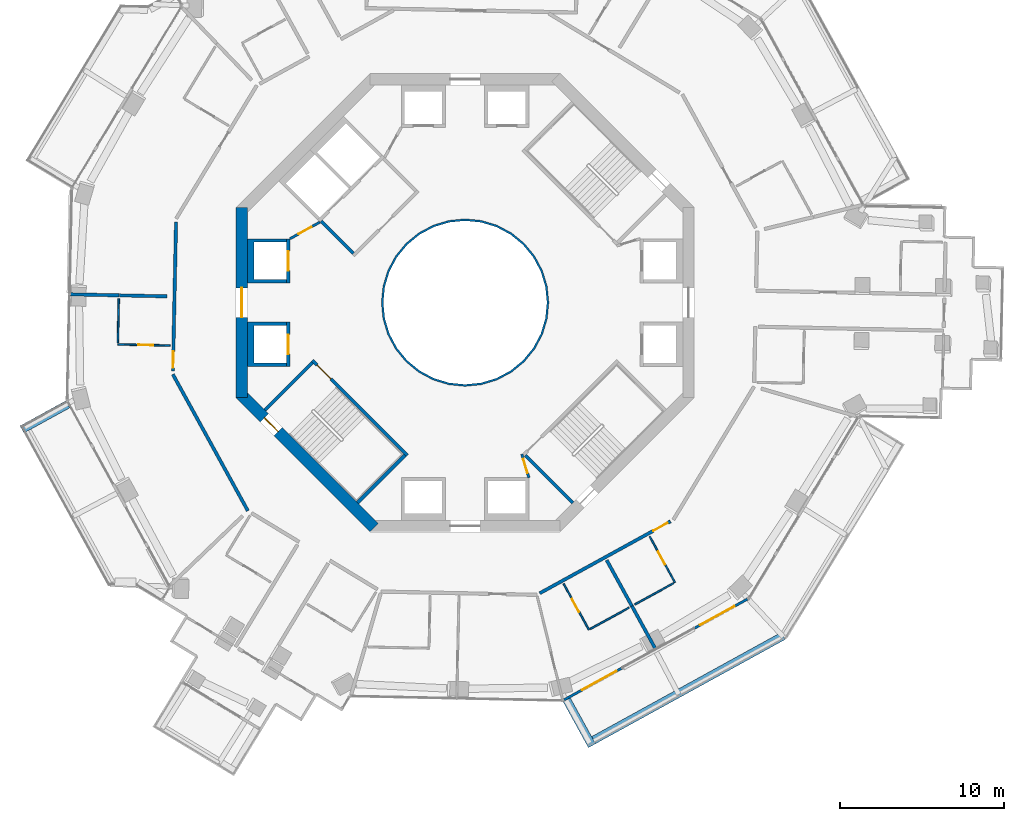
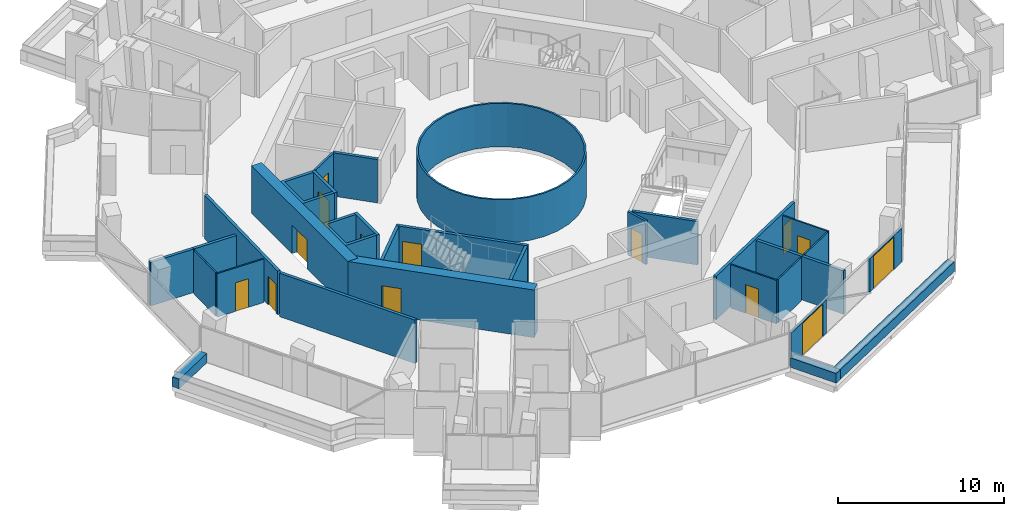
# One storey, part 15 of 22: 32 walls, 14 doors, 14 openings.
"""IFC4 building model written with IfcOpenShell, lengths in metres."""

from ifc_helpers import new_model, si_unit, direction, frame, frame_2d, origin, place, context, subcontext, project, spatial, polyline, rectangle, outline, extrude, material, layer, layer_set, type_object, element, fill, save


model = new_model("IFC4")

# Units and contexts
model_context = context("Model", 3, precision=1e-05, world=origin(), true_north=direction((0.0, 1.0)))
body_context = subcontext(model_context, "Body", "Model", "MODEL_VIEW")
ifc_project = project(units=[si_unit("LENGTHUNIT", "METRE"), si_unit("AREAUNIT", "SQUARE_METRE"), si_unit("VOLUMEUNIT", "CUBIC_METRE"), si_unit("PLANEANGLEUNIT", "RADIAN"), si_unit("MASSUNIT", "GRAM", prefix="KILO")], contexts=[model_context])

# Site, building, storey
site_placement = place(None, origin())
site = spatial("IfcSite", under=ifc_project, at=site_placement, CompositionType="ELEMENT")
building_placement = place(site_placement, origin())
building = spatial("IfcBuilding", under=site, at=building_placement, Name="Verdalira Terraces Hotel", CompositionType="ELEMENT")
storey_placement = place(building_placement, frame((0.0, 0.0, 150.5)))
storey = spatial("IfcBuildingStorey", under=building, at=storey_placement, Name="L36", CompositionType="ELEMENT", Elevation=150.5)

# Walls
ifc_material_1 = material(Name="Fire-resisting glass EI 180", Category="glass")
ifc_layer_1 = layer(ifc_material_1, 0.1201171875)
ifc_layer_set_1 = layer_set([ifc_layer_1], Name="Atrium fire screen 120 mm")
wall_type_1 = type_object("IfcWallType", Name="Atrium fire screen 120 mm", PredefinedType="SOLIDWALL", material=ifc_layer_set_1)
wall_1_placement = place(storey_placement, origin())
element("IfcWall", 1, at=wall_1_placement, inside=storey, type_object=wall_type_1, Name="Atrium fire screen", PredefinedType="SOLIDWALL", context=body_context, shape_type="SweptSolid", body=[
    extrude(outline(polyline([(5.021484, -0.998779), (4.730225, -1.959229), (4.25708, -2.844482), (3.620361, -3.620361), (2.844482, -4.25708), (1.959229, -4.730225), (0.998779, -5.021484), (0.0, -5.120117), (-0.998779, -5.021484), (-1.959229, -4.730225), (-2.844482, -4.25708), (-3.620361, -3.620361), (-4.25708, -2.844482), (-4.730225, -1.959229), (-5.021484, -0.998779), (-5.120117, 0.0), (-5.021484, 0.998779), (-4.730225, 1.959229), (-4.25708, 2.844482), (-3.620361, 3.620361), (-2.844482, 4.25708), (-1.959229, 4.730225), (-0.998779, 5.021484), (0.0, 5.120117), (0.998779, 5.021484), (1.959229, 4.730225), (2.844482, 4.25708), (3.620361, 3.620361), (4.25708, 2.844482), (4.730225, 1.959229), (5.021484, 0.998779), (5.120117, 0.0), (5.021484, -0.998779)]), holes=[polyline([(4.903809, 0.975586), (4.619385, 1.91333), (4.157227, 2.777832), (3.5354, 3.5354), (2.777832, 4.157227), (1.91333, 4.619385), (0.975586, 4.903809), (0.0, 5.0), (-0.975586, 4.903809), (-1.91333, 4.619385), (-2.777832, 4.157227), (-3.5354, 3.5354), (-4.157227, 2.777832), (-4.619385, 1.91333), (-4.903809, 0.975586), (-5.0, 0.0), (-4.903809, -0.975586), (-4.619385, -1.91333), (-4.157227, -2.777832), (-3.5354, -3.5354), (-2.777832, -4.157227), (-1.91333, -4.619385), (-0.975586, -4.903809), (0.0, -5.0), (0.975586, -4.903809), (1.91333, -4.619385), (2.777832, -4.157227), (3.5354, -3.5354), (4.157227, -2.777832), (4.619385, -1.91333), (4.903809, -0.975586), (5.0, 0.0), (4.903809, 0.975586)])]), origin(), (0.0, 0.0, 1.0), 3.189941),
])
ifc_material_2 = material(Name="Concrete C40", Category="concrete")
ifc_layer_2 = layer(ifc_material_2, 0.5)
ifc_layer_set_2 = layer_set([ifc_layer_2], Name="Balcony planter trough with tree")
wall_type_2 = type_object("IfcWallType", Name="Balcony planter trough with tree", PredefinedType="SOLIDWALL", material=ifc_layer_set_2)
for number, where, z_axis, x_axis, name in (
    (2, (-24.269531, -6.210205, 0.0), (0.0, 0.0, 1.0), (-0.876333505, -0.481704876, 0.0), "Balcony planter"),
    (3, (6.210205, -24.269531, 0.0), (0.0, 0.0, 1.0), (0.481704876, -0.876333505, 0.0), "Balcony planter"),
):
    element("IfcWall", number, at=place(storey_placement, frame(where, z_axis=z_axis, x_axis=x_axis)), inside=storey, type_object=wall_type_2, Name=name, PredefinedType="SOLIDWALL", context=body_context, shape_type="SweptSolid", body=[
        extrude(rectangle(XDim=3.198975, YDim=0.5, at=frame_2d((1.599609, 0.0))), origin(), (0.0, 0.0, 1.0), 0.699951),
    ])
wall_2_placement = place(storey_placement, frame((7.849854, -26.733398, 0.0), z_axis=(0.0, 0.0, 1.0), x_axis=(0.87630321, 0.481759986, 0.0)))
element("IfcWall", 4, at=wall_2_placement, inside=storey, type_object=wall_type_2, Name="Balcony planter", PredefinedType="SOLIDWALL", context=body_context, shape_type="SweptSolid", body=[
    extrude(rectangle(XDim=13.223633, YDim=0.5, at=frame_2d((6.611816, 0.0))), origin(), (0.0, 0.0, 1.0), 0.699951),
])
ifc_material_3 = material(Name="Moisture-resistant gypsum board partition")
ifc_layer_3 = layer(ifc_material_3, 0.10009765625)
ifc_layer_set_3 = layer_set([ifc_layer_3], Name="Bathroom partition 100 mm")
wall_type_3 = type_object("IfcWallType", Name="Bathroom partition 100 mm", PredefinedType="PARTITIONING", material=ifc_layer_set_3)
wall_3_placement = place(storey_placement, frame((-21.214355, -2.456299, 0.0), z_axis=(0.0, 0.0, 1.0), x_axis=(0.020887185, 0.999781839, 0.0)))
element("IfcWall", 5, at=wall_3_placement, inside=storey, type_object=wall_type_3, Name="Bathroom partition", PredefinedType="PARTITIONING", context=body_context, shape_type="SweptSolid", body=[
    extrude(rectangle(XDim=2.699951, YDim=0.100098, at=frame_2d((1.350098, 0.0))), origin(), (0.0, 0.0, 1.0), 3.189941),
])

# Wall, opening, door
wall_4_placement = place(storey_placement, frame((-21.216553, -2.556152, 0.0), z_axis=(0.0, 0.0, 1.0), x_axis=(0.999779901, -0.020979738, 0.0)))
wall_4 = element("IfcWall", 6, at=wall_4_placement, inside=storey, type_object=wall_type_3, Name="Bathroom partition", PredefinedType="PARTITIONING", context=body_context, shape_type="SweptSolid", body=[
    extrude(rectangle(XDim=3.200195, YDim=0.100098, at=frame_2d((1.600098, 0.0))), origin(), (0.0, 0.0, 1.0), 3.189941),
])
opening_1_placement = place(wall_4_placement, frame((1.25, 0.0, 0.0)))
opening_1 = element("IfcOpeningElement", 7, at=opening_1_placement, cuts=wall_4, Name="Opening L36-109", PredefinedType="OPENING", context=body_context, shape_type="SweptSolid", body=[
    extrude(rectangle(XDim=0.899902, YDim=2.100098, at=frame_2d((0.449951, 1.050049))), frame((0.0, 0.060059, 0.0), z_axis=(0.0, -1.0, 0.0), x_axis=(1.0, 0.0, 0.0)), (0.0, 0.0, 1.0), 0.120117),
])
ifc_material_4 = material(Name="Timber door", Category="wood")
door_type_1 = type_object("IfcDoorType", Name="Bathroom door 900 x 2100", OperationType="NOTDEFINED", PredefinedType="DOOR", material=ifc_material_4)
door_1_placement = place(opening_1_placement, origin())
door_1 = element("IfcDoor", 8, at=door_1_placement, inside=storey, type_object=door_type_1, Name="Bathroom door 3604", OperationType="SINGLE_SWING_LEFT", OverallHeight=2.10009765625, OverallWidth=0.89990234375, PredefinedType="DOOR", context=body_context, shape_type="SweptSolid", body=[
    extrude(rectangle(XDim=0.899902, YDim=2.100098, at=frame_2d((0.449951, 1.050049))), frame((0.0, 0.024902, 0.0), z_axis=(0.0, -1.0, 0.0), x_axis=(1.0, 0.0, 0.0)), (0.0, 0.0, 1.0), 0.050049),
])
fill(opening_1, door_1)

wall_5_placement = place(storey_placement, frame((6.022705, -17.182373, 0.0), z_axis=(0.0, 0.0, 1.0), x_axis=(0.481757648, -0.876304495, 0.0)))
wall_5 = element("IfcWall", 9, at=wall_5_placement, inside=storey, type_object=wall_type_3, Name="Bathroom partition", PredefinedType="PARTITIONING", context=body_context, shape_type="SweptSolid", body=[
    extrude(rectangle(XDim=3.199707, YDim=0.100098, at=frame_2d((1.599854, 0.0))), origin(), (0.0, 0.0, 1.0), 3.189941),
])
opening_2_placement = place(wall_5_placement, frame((1.050049, 0.0, 0.0)))
opening_2 = element("IfcOpeningElement", 10, at=opening_2_placement, cuts=wall_5, Name="Opening L36-119", PredefinedType="OPENING", context=body_context, shape_type="SweptSolid", body=[
    extrude(rectangle(XDim=0.899902, YDim=2.100098, at=frame_2d((0.449951, 1.050049))), frame((0.0, 0.060059, 0.0), z_axis=(0.0, -1.0, 0.0), x_axis=(1.0, 0.0, 0.0)), (0.0, 0.0, 1.0), 0.120117),
])
door_2_placement = place(opening_2_placement, origin())
door_2 = element("IfcDoor", 11, at=door_2_placement, inside=storey, type_object=door_type_1, Name="Bathroom door 3606", OperationType="SINGLE_SWING_RIGHT", OverallHeight=2.10009765625, OverallWidth=0.89990234375, PredefinedType="DOOR", context=body_context, shape_type="SweptSolid", body=[
    extrude(rectangle(XDim=0.899902, YDim=2.100098, at=frame_2d((0.449951, 1.050049))), frame((0.0, 0.024902, 0.0), z_axis=(0.0, -1.0, 0.0), x_axis=(1.0, 0.0, 0.0)), (0.0, 0.0, 1.0), 0.050049),
])
fill(opening_2, door_2)

# Walls
for number, where, z_axis, x_axis, name in (
    (12, (7.651855, -19.938232, 0.0), (0.0, 0.0, 1.0), (0.876294172, 0.481776426, 0.0), "Bathroom partition"),
    (13, (12.734375, -17.144043, 0.0), (0.0, 0.0, 1.0), (-0.876294172, -0.481776426, 0.0), "Bathroom partition"),
):
    element("IfcWall", number, at=place(storey_placement, frame(where, z_axis=z_axis, x_axis=x_axis)), inside=storey, type_object=wall_type_3, Name=name, PredefinedType="PARTITIONING", context=body_context, shape_type="SweptSolid", body=[
        extrude(rectangle(XDim=2.699951, YDim=0.100098, at=frame_2d((1.350098, 0.0))), origin(), (0.0, 0.0, 1.0), 3.189941),
    ])

# Wall, opening, door
wall_6_placement = place(storey_placement, frame((12.822021, -17.095947, 0.0), z_axis=(0.0, 0.0, 1.0), x_axis=(-0.481725438, 0.876322202, 0.0)))
wall_6 = element("IfcWall", 14, at=wall_6_placement, inside=storey, type_object=wall_type_3, Name="Bathroom partition", PredefinedType="PARTITIONING", context=body_context, shape_type="SweptSolid", body=[
    extrude(rectangle(XDim=3.199951, YDim=0.100098, at=frame_2d((1.600098, 0.0))), origin(), (0.0, 0.0, 1.0), 3.189941),
])
opening_3_placement = place(wall_6_placement, frame((1.25, 0.0, 0.0)))
opening_3 = element("IfcOpeningElement", 15, at=opening_3_placement, cuts=wall_6, Name="Opening L36-121", PredefinedType="OPENING", context=body_context, shape_type="SweptSolid", body=[
    extrude(rectangle(XDim=0.899902, YDim=2.100098, at=frame_2d((0.449951, 1.050049))), frame((0.0, 0.060059, 0.0), z_axis=(0.0, -1.0, 0.0), x_axis=(1.0, 0.0, 0.0)), (0.0, 0.0, 1.0), 0.120117),
])
door_3_placement = place(opening_3_placement, origin())
door_3 = element("IfcDoor", 16, at=door_3_placement, inside=storey, type_object=door_type_1, Name="Bathroom door 3607", OperationType="SINGLE_SWING_LEFT", OverallHeight=2.10009765625, OverallWidth=0.89990234375, PredefinedType="DOOR", context=body_context, shape_type="SweptSolid", body=[
    extrude(rectangle(XDim=0.899902, YDim=2.100098, at=frame_2d((0.449951, 1.050049))), frame((0.0, 0.024902, 0.0), z_axis=(0.0, -1.0, 0.0), x_axis=(1.0, 0.0, 0.0)), (0.0, 0.0, 1.0), 0.050049),
])
fill(opening_3, door_3)

# Wall
ifc_material_5 = material(Name="Concrete C50", Category="concrete")
ifc_layer_4 = layer(ifc_material_5, 0.199951171875)
ifc_layer_set_4 = layer_set([ifc_layer_4], Name="Core RC wall 200 C50")
wall_type_4 = type_object("IfcWallType", Name="Core RC wall 200 C50", PredefinedType="SOLIDWALL", material=ifc_layer_set_4)
wall_7_placement = place(storey_placement, origin())
element("IfcWall", 17, at=wall_7_placement, inside=storey, type_object=wall_type_4, Name="L36 shaft wall W1", PredefinedType="SOLIDWALL", context=body_context, shape_type="SweptSolid", body=[
    extrude(outline(polyline([(-13.300049, 3.899902), (-10.899902, 3.899902), (-10.899902, 3.699951), (-12.899902, 3.699951), (-12.899902, 1.399902), (-10.899902, 1.399902), (-10.899902, 1.199951), (-13.300049, 1.199951), (-13.300049, 3.899902)])), origin(), (0.0, 0.0, 1.0), 3.189941),
])

# Wall, opening, door
wall_8_placement = place(storey_placement, frame((-10.800049, 1.199951, 0.0), z_axis=(0.0, 0.0, 1.0), x_axis=(0.0, 1.0, 0.0)))
wall_8 = element("IfcWall", 18, at=wall_8_placement, inside=storey, type_object=wall_type_4, Name="L36 shaft front wall W1", PredefinedType="SOLIDWALL", context=body_context, shape_type="SweptSolid", body=[
    extrude(rectangle(XDim=2.699951, YDim=0.199951, at=frame_2d((1.350098, 0.0))), origin(), (0.0, 0.0, 1.0), 3.189941),
])
opening_4_placement = place(wall_8_placement, frame((0.75, 0.0, 0.0)))
opening_4 = element("IfcOpeningElement", 19, at=opening_4_placement, cuts=wall_8, Name="Opening LD-L36-805", PredefinedType="OPENING", context=body_context, shape_type="SweptSolid", body=[
    extrude(rectangle(XDim=1.199951, YDim=2.100098, at=frame_2d((0.600098, 1.050049))), frame((0.0, 0.109863, 0.0), z_axis=(0.0, -1.0, 0.0), x_axis=(1.0, 0.0, 0.0)), (0.0, 0.0, 1.0), 0.219971),
])
ifc_material_6 = material(Name="Stainless steel", Category="steel")
door_type_2 = type_object("IfcDoorType", Name="Landing door 1200 x 2100", OperationType="NOTDEFINED", PredefinedType="DOOR", material=ifc_material_6)
door_4_placement = place(opening_4_placement, origin())
door_4 = element("IfcDoor", 20, at=door_4_placement, inside=storey, type_object=door_type_2, Name="Lift landing door LR5 L36", OperationType="DOUBLE_DOOR_SLIDING", OverallHeight=2.10009765625, OverallWidth=1.199951171875, PredefinedType="DOOR", context=body_context, shape_type="SweptSolid", body=[
    extrude(rectangle(XDim=1.199951, YDim=2.100098, at=frame_2d((0.600098, 1.050049))), frame((0.0, 0.024902, 0.0), z_axis=(0.0, -1.0, 0.0), x_axis=(1.0, 0.0, 0.0)), (0.0, 0.0, 1.0), 0.050049),
])
fill(opening_4, door_4)

# Wall
wall_9_placement = place(storey_placement, origin())
element("IfcWall", 21, at=wall_9_placement, inside=storey, type_object=wall_type_4, Name="L36 shaft wall W2", PredefinedType="SOLIDWALL", context=body_context, shape_type="SweptSolid", body=[
    extrude(outline(polyline([(-13.300049, -3.899902), (-13.300049, -1.199951), (-10.899902, -1.199951), (-10.899902, -1.399902), (-12.899902, -1.399902), (-12.899902, -3.699951), (-10.899902, -3.699951), (-10.899902, -3.899902), (-13.300049, -3.899902)])), origin(), (0.0, 0.0, 1.0), 3.189941),
])

# Wall, opening, door
wall_10_placement = place(storey_placement, frame((-10.800049, -1.199951, 0.0), z_axis=(0.0, 0.0, 1.0), x_axis=(0.0, -1.0, 0.0)))
wall_10 = element("IfcWall", 22, at=wall_10_placement, inside=storey, type_object=wall_type_4, Name="L36 shaft front wall W2", PredefinedType="SOLIDWALL", context=body_context, shape_type="SweptSolid", body=[
    extrude(rectangle(XDim=2.699951, YDim=0.199951, at=frame_2d((1.350098, 0.0))), origin(), (0.0, 0.0, 1.0), 3.189941),
])
opening_5_placement = place(wall_10_placement, frame((0.75, 0.0, 0.0)))
opening_5 = element("IfcOpeningElement", 23, at=opening_5_placement, cuts=wall_10, Name="Opening LD-L36-806", PredefinedType="OPENING", context=body_context, shape_type="SweptSolid", body=[
    extrude(rectangle(XDim=1.199951, YDim=2.100098, at=frame_2d((0.600098, 1.050049))), frame((0.0, 0.109863, 0.0), z_axis=(0.0, -1.0, 0.0), x_axis=(1.0, 0.0, 0.0)), (0.0, 0.0, 1.0), 0.219971),
])
door_5_placement = place(opening_5_placement, origin())
door_5 = element("IfcDoor", 24, at=door_5_placement, inside=storey, type_object=door_type_2, Name="Lift landing door LR6 L36", OperationType="DOUBLE_DOOR_SLIDING", OverallHeight=2.10009765625, OverallWidth=1.199951171875, PredefinedType="DOOR", context=body_context, shape_type="SweptSolid", body=[
    extrude(rectangle(XDim=1.199951, YDim=2.100098, at=frame_2d((0.600098, 1.050049))), frame((0.0, 0.024902, 0.0), z_axis=(0.0, -1.0, 0.0), x_axis=(1.0, 0.0, 0.0)), (0.0, 0.0, 1.0), 0.050049),
])
fill(opening_5, door_5)

wall_11_placement = place(storey_placement, frame((-3.5354, -9.33374, 0.0), z_axis=(0.0, 0.0, 1.0), x_axis=(-0.707106781, 0.707106781, 0.0)))
wall_11 = element("IfcWall", 25, at=wall_11_placement, inside=storey, type_object=wall_type_4, Name="L36 stair ST2 front wall", PredefinedType="SOLIDWALL", context=body_context, shape_type="SweptSolid", body=[
    extrude(rectangle(XDim=8.200195, YDim=0.199951, at=frame_2d((4.100098, 0.0))), origin(), (0.0, 0.0, 1.0), 3.189941),
])
opening_6_placement = place(wall_11_placement, frame((6.600098, 0.0, 0.0)))
opening_6 = element("IfcOpeningElement", 26, at=opening_6_placement, cuts=wall_11, Name="Opening L36-810", PredefinedType="OPENING", context=body_context, shape_type="SweptSolid", body=[
    extrude(rectangle(XDim=1.199951, YDim=2.100098, at=frame_2d((0.600098, 1.050049))), frame((0.0, 0.109863, 0.0), z_axis=(0.0, -1.0, 0.0), x_axis=(1.0, 0.0, 0.0)), (0.0, 0.0, 1.0), 0.219971),
])
ifc_material_7 = material(Name="Steel fire door", Category="steel")
door_type_3 = type_object("IfcDoorType", Name="Stair door 1200 x 2100", OperationType="NOTDEFINED", PredefinedType="DOOR", material=ifc_material_7)
door_6_placement = place(opening_6_placement, origin())
door_6 = element("IfcDoor", 27, at=door_6_placement, inside=storey, type_object=door_type_3, Name="Stair door ST2 L36", OperationType="SINGLE_SWING_RIGHT", OverallHeight=2.10009765625, OverallWidth=1.199951171875, PredefinedType="DOOR", context=body_context, shape_type="SweptSolid", body=[
    extrude(rectangle(XDim=1.199951, YDim=2.100098, at=frame_2d((0.600098, 1.050049))), frame((0.0, 0.024902, 0.0), z_axis=(0.0, -1.0, 0.0), x_axis=(1.0, 0.0, 0.0)), (0.0, 0.0, 1.0), 0.050049),
])
fill(opening_6, door_6)

# Walls
for number, where, z_axis, x_axis, name in (
    (28, (-9.33374, -3.677002, 0.0), (0.0, 0.0, 1.0), (-0.707106781, -0.707106781, 0.0), "L36 stair ST2 end wall 1"),
    (29, (-3.677002, -9.33374, 0.0), (0.0, 0.0, 1.0), (-0.707106781, -0.707106781, 0.0), "L36 stair ST2 end wall 2"),
    (30, (3.677002, -9.33374, 0.0), (0.0, 0.0, 1.0), (0.707106781, -0.707106781, 0.0), "L36 stair ST3 end wall 1"),
):
    element("IfcWall", number, at=place(storey_placement, frame(where, z_axis=z_axis, x_axis=x_axis)), inside=storey, type_object=wall_type_4, Name=name, PredefinedType="SOLIDWALL", context=body_context, shape_type="SweptSolid", body=[
        extrude(rectangle(XDim=4.100098, YDim=0.199951, at=frame_2d((2.050049, 0.0))), origin(), (0.0, 0.0, 1.0), 3.189941),
    ])
wall_12_placement = place(storey_placement, frame((-6.823486, 3.005127, 0.0), z_axis=(0.0, 0.0, 1.0), x_axis=(-0.707106781, 0.707106781, 0.0)))
element("IfcWall", 31, at=wall_12_placement, inside=storey, type_object=wall_type_4, Name="L36 fire lobby wall", PredefinedType="SOLIDWALL", context=body_context, shape_type="SweptSolid", body=[
    extrude(rectangle(XDim=2.800049, YDim=0.199951, at=frame_2d((1.399902, 0.0))), origin(), (0.0, 0.0, 1.0), 3.189941),
])

# Wall, opening, door
ifc_material_8 = material(Name="Gypsum board partition")
ifc_layer_5 = layer(ifc_material_8, 0.14990234375)
ifc_layer_set_5 = layer_set([ifc_layer_5], Name="Core partition 150 mm")
wall_type_5 = type_object("IfcWallType", Name="Core partition 150 mm", PredefinedType="PARTITIONING", material=ifc_layer_set_5)
wall_13_placement = place(storey_placement, frame((-8.874268, 4.914307, 0.0), z_axis=(0.0, 0.0, 1.0), x_axis=(-0.874129705, -0.485692555, 0.0)))
wall_13 = element("IfcWall", 32, at=wall_13_placement, inside=storey, type_object=wall_type_5, Name="Room partition L36", PredefinedType="PARTITIONING", context=body_context, shape_type="SweptSolid", body=[
    extrude(rectangle(XDim=2.088623, YDim=0.149902, at=frame_2d((1.044434, 0.0))), origin(), (0.0, 0.0, 1.0), 3.189941),
])
opening_7_placement = place(wall_13_placement, frame((0.594238, 0.0, 0.0)))
opening_7 = element("IfcOpeningElement", 33, at=opening_7_placement, cuts=wall_13, Name="Opening L36-822", PredefinedType="OPENING", context=body_context, shape_type="SweptSolid", body=[
    extrude(rectangle(XDim=0.899902, YDim=2.100098, at=frame_2d((0.449951, 1.050049))), frame((0.0, 0.084961, 0.0), z_axis=(0.0, -1.0, 0.0), x_axis=(1.0, 0.0, 0.0)), (0.0, 0.0, 1.0), 0.169922),
])
ifc_material_9 = material(Name="Steel fire door", Category="steel")
door_type_4 = type_object("IfcDoorType", Name="Core room door 900 x 2100", OperationType="NOTDEFINED", PredefinedType="DOOR", material=ifc_material_9)
door_7_placement = place(opening_7_placement, origin())
door_7 = element("IfcDoor", 34, at=door_7_placement, inside=storey, type_object=door_type_4, Name="Door L36 room3", OperationType="SINGLE_SWING_LEFT", OverallHeight=2.10009765625, OverallWidth=0.89990234375, PredefinedType="DOOR", context=body_context, shape_type="SweptSolid", body=[
    extrude(rectangle(XDim=0.899902, YDim=2.100098, at=frame_2d((0.449951, 1.050049))), frame((0.0, 0.024902, 0.0), z_axis=(0.0, -1.0, 0.0), x_axis=(1.0, 0.0, 0.0)), (0.0, 0.0, 1.0), 0.050049),
])
fill(opening_7, door_7)

wall_14_placement = place(storey_placement, frame((3.899902, -10.699951, 0.0), z_axis=(0.0, 0.0, 1.0), x_axis=(-0.289808785, 0.957084567, 0.0)))
wall_14 = element("IfcWall", 35, at=wall_14_placement, inside=storey, type_object=wall_type_5, Name="Room partition L36", PredefinedType="PARTITIONING", context=body_context, shape_type="SweptSolid", body=[
    extrude(rectangle(XDim=1.501221, YDim=0.149902, at=frame_2d((0.750488, 0.0))), origin(), (0.0, 0.0, 1.0), 3.189941),
])
opening_8_placement = place(wall_14_placement, frame((0.300781, 0.0, 0.0)))
opening_8 = element("IfcOpeningElement", 36, at=opening_8_placement, cuts=wall_14, Name="Opening L36-823", PredefinedType="OPENING", context=body_context, shape_type="SweptSolid", body=[
    extrude(rectangle(XDim=0.899902, YDim=2.100098, at=frame_2d((0.449951, 1.050049))), frame((0.0, 0.084961, 0.0), z_axis=(0.0, -1.0, 0.0), x_axis=(1.0, 0.0, 0.0)), (0.0, 0.0, 1.0), 0.169922),
])
door_8_placement = place(opening_8_placement, origin())
door_8 = element("IfcDoor", 37, at=door_8_placement, inside=storey, type_object=door_type_4, Name="Door L36 room6", OperationType="SINGLE_SWING_LEFT", OverallHeight=2.10009765625, OverallWidth=0.89990234375, PredefinedType="DOOR", context=body_context, shape_type="SweptSolid", body=[
    extrude(rectangle(XDim=0.899902, YDim=2.100098, at=frame_2d((0.449951, 1.050049))), frame((0.0, 0.024902, 0.0), z_axis=(0.0, -1.0, 0.0), x_axis=(1.0, 0.0, 0.0)), (0.0, 0.0, 1.0), 0.050049),
])
fill(opening_8, door_8)

ifc_material_10 = material(Name="Concrete C60", Category="concrete")
ifc_layer_6 = layer(ifc_material_10, 0.699951171875)
ifc_layer_set_6 = layer_set([ifc_layer_6], Name="Core wall 700 C60")
wall_type_6 = type_object("IfcWallType", Name="Core wall 700 C60", PredefinedType="SHEAR", material=ifc_layer_set_6)
wall_15_placement = place(storey_placement, frame((-13.649902, 5.799072, 0.0), z_axis=(0.0, 0.0, 1.0), x_axis=(0.0, -1.0, 0.0)))
wall_15 = element("IfcWall", 38, at=wall_15_placement, inside=storey, type_object=wall_type_6, Name="Core wall CW-L36-5", PredefinedType="SHEAR", context=body_context, shape_type="SweptSolid", body=[
    extrude(rectangle(XDim=11.598145, YDim=0.699951, at=frame_2d((5.799072, 0.0))), origin(), (0.0, 0.0, 1.0), 3.5),
])
opening_9_placement = place(wall_15_placement, frame((4.898926, 0.0, 0.0)))
opening_9 = element("IfcOpeningElement", 39, at=opening_9_placement, cuts=wall_15, Name="Opening L36-814", PredefinedType="OPENING", context=body_context, shape_type="SweptSolid", body=[
    extrude(rectangle(XDim=1.800049, YDim=2.100098, at=frame_2d((0.899902, 1.050049))), frame((0.0, 0.359863, 0.0), z_axis=(0.0, -1.0, 0.0), x_axis=(1.0, 0.0, 0.0)), (0.0, 0.0, 1.0), 0.719971),
])
ifc_material_11 = material(Name="Steel fire door", Category="steel")
door_type_5 = type_object("IfcDoorType", Name="Core entry door pair 1800 x 2100", OperationType="NOTDEFINED", PredefinedType="DOOR", material=ifc_material_11)
door_9_placement = place(opening_9_placement, origin())
door_9 = element("IfcDoor", 40, at=door_9_placement, inside=storey, type_object=door_type_5, Name="Core entry door L36 4", OperationType="DOUBLE_DOOR_SINGLE_SWING", OverallHeight=2.10009765625, OverallWidth=1.800048828125, PredefinedType="DOOR", context=body_context, shape_type="SweptSolid", body=[
    extrude(rectangle(XDim=1.800049, YDim=2.100098, at=frame_2d((0.899902, 1.050049))), frame((0.0, 0.024902, 0.0), z_axis=(0.0, -1.0, 0.0), x_axis=(1.0, 0.0, 0.0)), (0.0, 0.0, 1.0), 0.050049),
])
fill(opening_9, door_9)

wall_16_placement = place(storey_placement, frame((-13.752441, -5.551514, 0.0), z_axis=(0.0, 0.0, 1.0), x_axis=(0.707106781, -0.707106781, 0.0)))
wall_16 = element("IfcWall", 41, at=wall_16_placement, inside=storey, type_object=wall_type_6, Name="Core wall CW-L36-6", PredefinedType="SHEAR", context=body_context, shape_type="SweptSolid", body=[
    extrude(rectangle(XDim=11.5979, YDim=0.699951, at=frame_2d((5.798828, 0.0))), origin(), (0.0, 0.0, 1.0), 3.5),
])
opening_10_placement = place(wall_16_placement, frame((2.099121, 0.0, 0.0)))
opening_10 = element("IfcOpeningElement", 42, at=opening_10_placement, cuts=wall_16, Name="Opening L36-817", PredefinedType="OPENING", context=body_context, shape_type="SweptSolid", body=[
    extrude(rectangle(XDim=1.199951, YDim=2.100098, at=frame_2d((0.600098, 1.050049))), frame((0.0, 0.359863, 0.0), z_axis=(0.0, -1.0, 0.0), x_axis=(1.0, 0.0, 0.0)), (0.0, 0.0, 1.0), 0.719971),
])
door_10_placement = place(opening_10_placement, origin())
door_10 = element("IfcDoor", 43, at=door_10_placement, inside=storey, type_object=door_type_3, Name="Stair exit door ST2 L36", OperationType="SINGLE_SWING_LEFT", OverallHeight=2.10009765625, OverallWidth=1.199951171875, PredefinedType="DOOR", context=body_context, shape_type="SweptSolid", body=[
    extrude(rectangle(XDim=1.199951, YDim=2.100098, at=frame_2d((0.600098, 1.050049))), frame((0.0, 0.024902, 0.0), z_axis=(0.0, -1.0, 0.0), x_axis=(1.0, 0.0, 0.0)), (0.0, 0.0, 1.0), 0.050049),
])
fill(opening_10, door_10)

# Walls
ifc_material_12 = material(Name="Fire-rated gypsum board wall")
ifc_layer_7 = layer(ifc_material_12, 0.199951171875)
ifc_layer_set_7 = layer_set([ifc_layer_7], Name="Demising wall 200 mm")
wall_type_7 = type_object("IfcWallType", Name="Demising wall 200 mm", PredefinedType="SOLIDWALL", material=ifc_layer_set_7)
wall_17_placement = place(storey_placement, frame((-21.151611, 0.443115, 0.0), z_axis=(0.0, 0.0, 1.0), x_axis=(-0.999781079, 0.020923535, 0.0)))
element("IfcWall", 44, at=wall_17_placement, inside=storey, type_object=wall_type_7, Name="Demising wall", PredefinedType="SOLIDWALL", context=body_context, shape_type="SweptSolid", body=[
    extrude(rectangle(XDim=2.952148, YDim=0.199951, at=frame_2d((1.476074, 0.0))), origin(), (0.0, 0.0, 1.0), 3.189941),
])
wall_18_placement = place(storey_placement, frame((-18.20166, 0.381348, 0.0), z_axis=(0.0, 0.0, 1.0), x_axis=(-0.999780973, 0.02092858, 0.0)))
element("IfcWall", 45, at=wall_18_placement, inside=storey, type_object=wall_type_7, Name="Demising wall", PredefinedType="SOLIDWALL", context=body_context, shape_type="SweptSolid", body=[
    extrude(rectangle(XDim=2.904785, YDim=0.199951, at=frame_2d((1.452393, 0.0))), origin(), (0.0, 0.0, 1.0), 3.189941),
])
wall_19_placement = place(storey_placement, frame((8.651611, -15.737061, 0.0), z_axis=(0.0, 0.0, 1.0), x_axis=(0.481725438, -0.876322202, 0.0)))
element("IfcWall", 46, at=wall_19_placement, inside=storey, type_object=wall_type_7, Name="Demising wall", PredefinedType="SOLIDWALL", context=body_context, shape_type="SweptSolid", body=[
    extrude(rectangle(XDim=3.199951, YDim=0.199951, at=frame_2d((1.600098, 0.0))), origin(), (0.0, 0.0, 1.0), 3.189941),
])
wall_20_placement = place(storey_placement, frame((10.193115, -18.54126, 0.0), z_axis=(0.0, 0.0, 1.0), x_axis=(0.481766242, -0.876299771, 0.0)))
element("IfcWall", 47, at=wall_20_placement, inside=storey, type_object=wall_type_7, Name="Demising wall", PredefinedType="SOLIDWALL", context=body_context, shape_type="SweptSolid", body=[
    extrude(rectangle(XDim=2.949951, YDim=0.199951, at=frame_2d((1.475098, 0.0))), origin(), (0.0, 0.0, 1.0), 3.189941),
])

# Wall, opening, door
ifc_material_13 = material(Name="Fire-rated gypsum board wall")
ifc_layer_8 = layer(ifc_material_13, 0.199951171875)
ifc_layer_set_8 = layer_set([ifc_layer_8], Name="Guest corridor wall 200 mm")
wall_type_8 = type_object("IfcWallType", Name="Guest corridor wall 200 mm", PredefinedType="SOLIDWALL", material=ifc_layer_set_8)
wall_21_placement = place(storey_placement, frame((-17.849854, -4.184814, 0.0), z_axis=(0.0, 0.0, 1.0), x_axis=(0.020944265, 0.999780645, 0.0)))
wall_21 = element("IfcWall", 48, at=wall_21_placement, inside=storey, type_object=wall_type_8, Name="Guest corridor wall", PredefinedType="SOLIDWALL", context=body_context, shape_type="SweptSolid", body=[
    extrude(rectangle(XDim=9.115479, YDim=0.199951, at=frame_2d((4.557617, 0.0))), origin(), (0.0, 0.0, 1.0), 3.189941),
])
opening_11_placement = place(wall_21_placement, frame((0.199951, 0.0, 0.0)))
opening_11 = element("IfcOpeningElement", 49, at=opening_11_placement, cuts=wall_21, Name="Opening L36-108", PredefinedType="OPENING", context=body_context, shape_type="SweptSolid", body=[
    extrude(rectangle(XDim=1.0, YDim=2.100098, at=frame_2d((0.5, 1.050049))), frame((0.0, 0.109863, 0.0), z_axis=(0.0, -1.0, 0.0), x_axis=(1.0, 0.0, 0.0)), (0.0, 0.0, 1.0), 0.219971),
])
ifc_material_14 = material(Name="Timber fire door", Category="wood")
door_type_6 = type_object("IfcDoorType", Name="Guest entry door 1000 x 2100", OperationType="NOTDEFINED", PredefinedType="DOOR", material=ifc_material_14)
door_11_placement = place(opening_11_placement, origin())
door_11 = element("IfcDoor", 50, at=door_11_placement, inside=storey, type_object=door_type_6, Name="Guest entry door 3604", OperationType="SINGLE_SWING_LEFT", OverallHeight=2.10009765625, OverallWidth=1.0, PredefinedType="DOOR", context=body_context, shape_type="SweptSolid", body=[
    extrude(rectangle(XDim=1.0, YDim=2.100098, at=frame_2d((0.5, 1.050049))), frame((0.0, 0.024902, 0.0), z_axis=(0.0, -1.0, 0.0), x_axis=(1.0, 0.0, 0.0)), (0.0, 0.0, 1.0), 0.050049),
])
fill(opening_11, door_11)

# Wall
wall_22_placement = place(storey_placement, frame((-17.85376, -4.385986, 0.0), z_axis=(0.0, 0.0, 1.0), x_axis=(0.481765103, -0.876300397, 0.0)))
element("IfcWall", 51, at=wall_22_placement, inside=storey, type_object=wall_type_8, Name="Guest corridor wall", PredefinedType="SOLIDWALL", context=body_context, shape_type="SweptSolid", body=[
    extrude(rectangle(XDim=9.516113, YDim=0.199951, at=frame_2d((4.758057, 0.0))), origin(), (0.0, 0.0, 1.0), 3.189941),
])

# Wall, opening, door
wall_23_placement = place(storey_placement, frame((12.549316, -13.365967, 0.0), z_axis=(0.0, 0.0, 1.0), x_axis=(-0.876307491, -0.481752199, 0.0)))
wall_23 = element("IfcWall", 52, at=wall_23_placement, inside=storey, type_object=wall_type_8, Name="Guest corridor wall", PredefinedType="SOLIDWALL", context=body_context, shape_type="SweptSolid", body=[
    extrude(rectangle(XDim=9.116455, YDim=0.199951, at=frame_2d((4.558105, 0.0))), origin(), (0.0, 0.0, 1.0), 3.189941),
])
opening_12_placement = place(wall_23_placement, frame((0.199951, 0.0, 0.0)))
opening_12 = element("IfcOpeningElement", 53, at=opening_12_placement, cuts=wall_23, Name="Opening L36-120", PredefinedType="OPENING", context=body_context, shape_type="SweptSolid", body=[
    extrude(rectangle(XDim=1.0, YDim=2.100098, at=frame_2d((0.5, 1.050049))), frame((0.0, 0.109863, 0.0), z_axis=(0.0, -1.0, 0.0), x_axis=(1.0, 0.0, 0.0)), (0.0, 0.0, 1.0), 0.219971),
])
door_12_placement = place(opening_12_placement, origin())
door_12 = element("IfcDoor", 54, at=door_12_placement, inside=storey, type_object=door_type_6, Name="Guest entry door 3607", OperationType="SINGLE_SWING_LEFT", OverallHeight=2.10009765625, OverallWidth=1.0, PredefinedType="DOOR", context=body_context, shape_type="SweptSolid", body=[
    extrude(rectangle(XDim=1.0, YDim=2.100098, at=frame_2d((0.5, 1.050049))), frame((0.0, 0.024902, 0.0), z_axis=(0.0, -1.0, 0.0), x_axis=(1.0, 0.0, 0.0)), (0.0, 0.0, 1.0), 0.050049),
])
fill(opening_12, door_12)

ifc_material_15 = material(Name="Terracotta cladding", Category="masonry")
ifc_layer_9 = layer(ifc_material_15, 0.14990234375)
ifc_layer_set_9 = layer_set([ifc_layer_9], Name="Terracotta door pier 150")
wall_type_9 = type_object("IfcWallType", Name="Terracotta door pier 150", PredefinedType="SOLIDWALL", material=ifc_layer_set_9)
wall_24_placement = place(storey_placement, frame((6.042236, -24.275146, 0.0), z_axis=(0.0, 0.0, 1.0), x_axis=(0.876305861, 0.481755164, 0.0)))
wall_24 = element("IfcWall", 55, at=wall_24_placement, inside=storey, type_object=wall_type_9, Name="Terracotta door pier", PredefinedType="SOLIDWALL", context=body_context, shape_type="SweptSolid", body=[
    extrude(rectangle(XDim=4.067871, YDim=0.149902, at=frame_2d((2.033936, 0.0))), origin(), (0.0, 0.0, 1.0), 2.475098),
])
opening_13_placement = place(wall_24_placement, frame((1.267822, 0.0, 0.0)))
opening_13 = element("IfcOpeningElement", 56, at=opening_13_placement, cuts=wall_24, Name="Opening L36-B07", PredefinedType="OPENING", context=body_context, shape_type="SweptSolid", body=[
    extrude(rectangle(XDim=2.399902, YDim=2.399902, at=frame_2d((1.199951, 1.199951))), frame((0.0, 0.084961, 0.0), z_axis=(0.0, -1.0, 0.0), x_axis=(1.0, 0.0, 0.0)), (0.0, 0.0, 1.0), 0.169922),
])
ifc_material_16 = material(Name="Clear glass", Category="glass")
door_type_7 = type_object("IfcDoorType", Name="Balcony sliding door 2400x2400", OperationType="NOTDEFINED", PredefinedType="DOOR", material=ifc_material_16)
door_13_placement = place(opening_13_placement, origin())
door_13 = element("IfcDoor", 57, at=door_13_placement, inside=storey, type_object=door_type_7, Name="Balcony sliding door", OperationType="SLIDING_TO_LEFT", OverallHeight=2.39990234375, OverallWidth=2.39990234375, PredefinedType="DOOR", context=body_context, shape_type="SweptSolid", body=[
    extrude(rectangle(XDim=2.399902, YDim=2.399902, at=frame_2d((1.199951, 1.199951))), frame((0.0, 0.024902, 0.0), z_axis=(0.0, -1.0, 0.0), x_axis=(1.0, 0.0, 0.0)), (0.0, 0.0, 1.0), 0.050049),
])
fill(opening_13, door_13)

wall_25_placement = place(storey_placement, frame((14.007324, -19.89624, 0.0), z_axis=(0.0, 0.0, 1.0), x_axis=(0.876308978, 0.481749495, 0.0)))
wall_25 = element("IfcWall", 58, at=wall_25_placement, inside=storey, type_object=wall_type_9, Name="Terracotta door pier", PredefinedType="SOLIDWALL", context=body_context, shape_type="SweptSolid", body=[
    extrude(rectangle(XDim=3.710205, YDim=0.149902, at=frame_2d((1.85498, 0.0))), origin(), (0.0, 0.0, 1.0), 2.475098),
])
opening_14_placement = place(wall_25_placement, frame((0.399902, 0.0, 0.0)))
opening_14 = element("IfcOpeningElement", 59, at=opening_14_placement, cuts=wall_25, Name="Opening L36-B08", PredefinedType="OPENING", context=body_context, shape_type="SweptSolid", body=[
    extrude(rectangle(XDim=2.399902, YDim=2.399902, at=frame_2d((1.199951, 1.199951))), frame((0.0, 0.084961, 0.0), z_axis=(0.0, -1.0, 0.0), x_axis=(1.0, 0.0, 0.0)), (0.0, 0.0, 1.0), 0.169922),
])
door_14_placement = place(opening_14_placement, origin())
door_14 = element("IfcDoor", 60, at=door_14_placement, inside=storey, type_object=door_type_7, Name="Balcony sliding door", OperationType="SLIDING_TO_RIGHT", OverallHeight=2.39990234375, OverallWidth=2.39990234375, PredefinedType="DOOR", context=body_context, shape_type="SweptSolid", body=[
    extrude(rectangle(XDim=2.399902, YDim=2.399902, at=frame_2d((1.199951, 1.199951))), frame((0.0, 0.024902, 0.0), z_axis=(0.0, -1.0, 0.0), x_axis=(1.0, 0.0, 0.0)), (0.0, 0.0, 1.0), 0.050049),
])
fill(opening_14, door_14)

save(model, "model.ifc")
